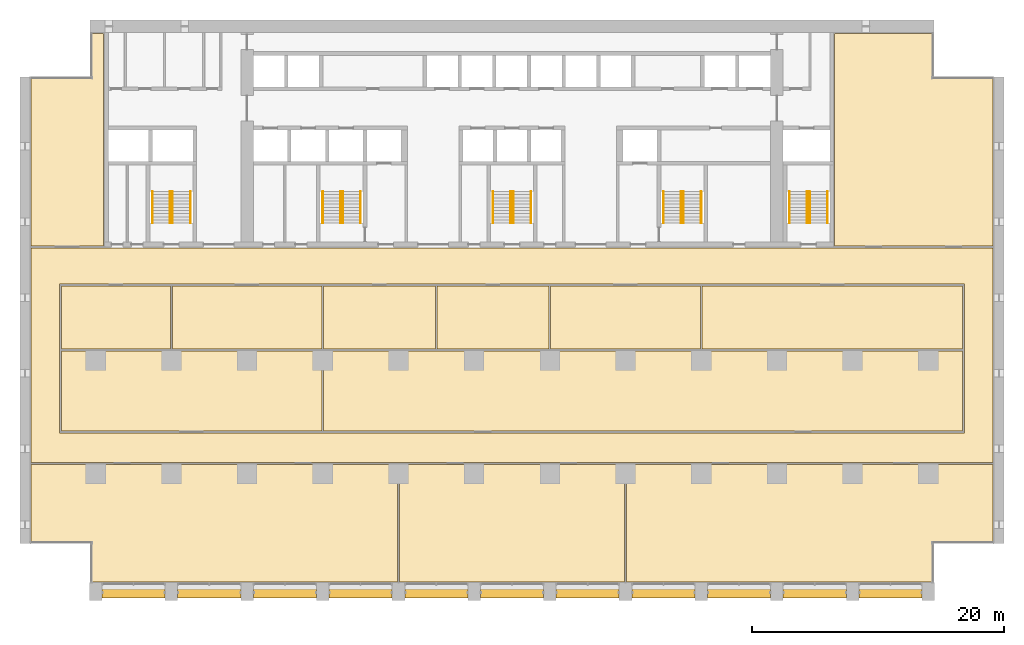
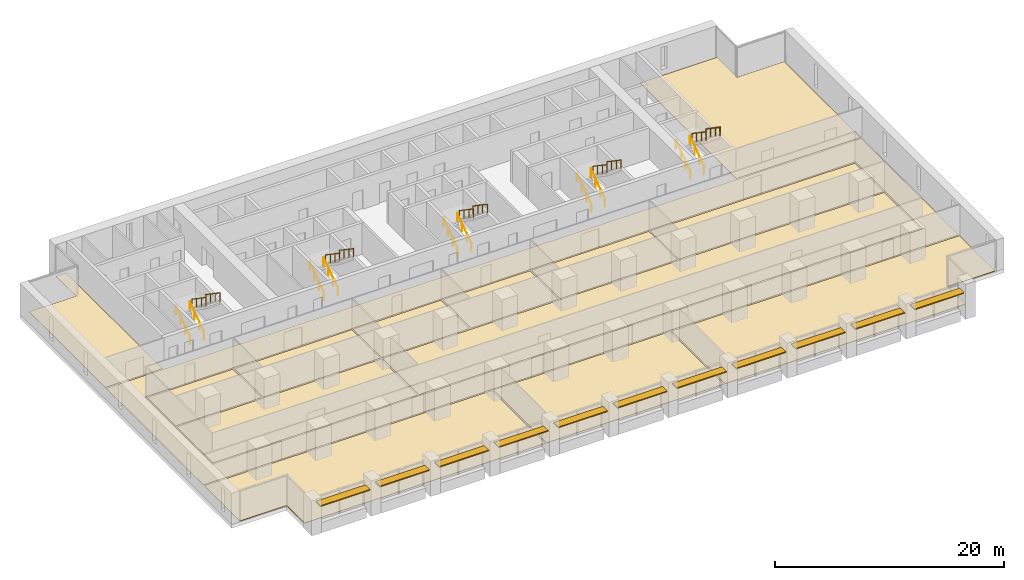
# One storey, part 17 of 17: 20 railings, 14 coverings, 11 shading devices, 5 elements without a shape of their own.
"""IFC4 building model written with IfcOpenShell, lengths in metres."""

from ifc_helpers import new_model, si_unit, direction, frame, origin, origin_2d, place, context, subcontext, project, spatial, polyline, rectangle, circle, outline, extrude, material, layer, layer_set, material_profile, profile_set, type_object, element, aggregate, save


model = new_model("IFC4")

# Units and contexts
model_context = context("Model", 3, precision=1e-05, world=origin(), true_north=direction((0.0, 1.0)))
body_context = subcontext(model_context, "Body", "Model", "MODEL_VIEW")
ifc_project = project(units=[si_unit("LENGTHUNIT", "METRE"), si_unit("AREAUNIT", "SQUARE_METRE"), si_unit("VOLUMEUNIT", "CUBIC_METRE"), si_unit("PLANEANGLEUNIT", "RADIAN"), si_unit("MASSUNIT", "GRAM", prefix="KILO")], contexts=[model_context])

# Site, building, storey
site_placement = place(None, origin())
site = spatial("IfcSite", under=ifc_project, at=site_placement, CompositionType="ELEMENT")
building_placement = place(site_placement, origin())
building = spatial("IfcBuilding", under=site, at=building_placement, Name="Calvaro Tower", CompositionType="ELEMENT")
storey_placement = place(building_placement, frame((0.0, 0.0, 67.5)))
storey = spatial("IfcBuildingStorey", under=building, at=storey_placement, Name="L16", CompositionType="ELEMENT", Elevation=67.5)

# Shading devices
ifc_material_1 = material(Name="Anodised aluminium", Category="aluminium")
ifc_material_profile = material_profile(ifc_material_1, rectangle(XDim=0.800048828125, YDim=0.10009765625, at=origin_2d()), Name="Brise-soleil blade 800 x 100")
ifc_profile_set = profile_set([ifc_material_profile], Name="Anodised aluminium")
shading_device_type = type_object("IfcShadingDeviceType", Name="Brise-soleil blade 800 x 100", PredefinedType="JALOUSIE", material=ifc_profile_set)
for number, where, z_axis, x_axis, name in (
    (1, (6.5, 0.60009765625, 2.300048828125), (1.0, 0.0, 0.0), (0.0, 1.0, 0.0), "Brise-soleil blade 1"),
    (2, (12.5, 0.60009765625, 2.300048828125), (1.0, 0.0, 0.0), (0.0, 1.0, 0.0), "Brise-soleil blade 2"),
    (3, (18.5, 0.60009765625, 2.300048828125), (1.0, 0.0, 0.0), (0.0, 1.0, 0.0), "Brise-soleil blade 3"),
    (4, (24.5, 0.60009765625, 2.300048828125), (1.0, 0.0, 0.0), (0.0, 1.0, 0.0), "Brise-soleil blade 4"),
    (5, (30.5, 0.60009765625, 2.300048828125), (1.0, 0.0, 0.0), (0.0, 1.0, 0.0), "Brise-soleil blade 5"),
    (6, (36.5, 0.60009765625, 2.300048828125), (1.0, 0.0, 0.0), (0.0, 1.0, 0.0), "Brise-soleil blade 6"),
    (7, (42.5, 0.60009765625, 2.300048828125), (1.0, 0.0, 0.0), (0.0, 1.0, 0.0), "Brise-soleil blade 7"),
    (8, (48.5, 0.60009765625, 2.300048828125), (1.0, 0.0, 0.0), (0.0, 1.0, 0.0), "Brise-soleil blade 8"),
    (9, (54.5, 0.60009765625, 2.300048828125), (1.0, 0.0, 0.0), (0.0, 1.0, 0.0), "Brise-soleil blade 9"),
    (10, (60.5, 0.60009765625, 2.300048828125), (1.0, 0.0, 0.0), (0.0, 1.0, 0.0), "Brise-soleil blade 10"),
    (11, (66.5, 0.60009765625, 2.300048828125), (1.0, 0.0, 0.0), (0.0, 1.0, 0.0), "Brise-soleil blade 11"),
):
    element("IfcShadingDevice", number, at=place(storey_placement, frame(where, z_axis=z_axis, x_axis=x_axis)), inside=storey, type_object=shading_device_type, Name=name, PredefinedType="JALOUSIE", context=body_context, shape_type="SweptSolid", body=[
        extrude(rectangle(XDim=0.800048828125, YDim=0.10009765625, at=origin_2d()), origin(), (0.0, 0.0, 1.0), 5.0),
    ])

# Coverings
ifc_material_2 = material(Name="Cement screed with carpet tile finish")
ifc_layer = layer(ifc_material_2, 0.050048828125)
ifc_layer_set = layer_set([ifc_layer], Name="Cement screed with carpet tile finish")
covering_type = type_object("IfcCoveringType", Name="Floor finish 50", PredefinedType="FLOORING", material=ifc_layer_set)
covering_1_placement = place(storey_placement, origin())
element("IfcCovering", 12, at=covering_1_placement, inside=storey, type_object=covering_type, Name="Floor finish 13.01", PredefinedType="FLOORING", context=body_context, shape_type="SweptSolid", body=[
    extrude(outline(polyline([(0.8701171875, 10.919921875), (0.8701171875, 27.929931640625), (77.1298828125, 27.929931640625), (77.1298828125, 10.919921875), (0.8701171875, 10.919921875)]), holes=[polyline([(74.8701171875, 13.280029296875), (74.8701171875, 25.070068359375), (3.1298828125, 25.070068359375), (3.1298828125, 13.280029296875), (74.8701171875, 13.280029296875)])]), origin(), (0.0, 0.0, 1.0), 0.050048828125),
])
covering_2_placement = place(storey_placement, origin())
element("IfcCovering", 13, at=covering_2_placement, inside=storey, type_object=covering_type, Name="Floor finish 13.03", PredefinedType="FLOORING", context=body_context, shape_type="SweptSolid", body=[
    extrude(outline(polyline([(29.929931640625, 10.780029296875), (29.929931640625, 1.469970703125), (5.6201171875, 1.469970703125), (5.6201171875, 4.570068359375), (0.8701171875, 4.570068359375), (0.8701171875, 10.780029296875), (29.929931640625, 10.780029296875)])), origin(), (0.0, 0.0, 1.0), 0.050048828125),
])
covering_3_placement = place(storey_placement, origin())
element("IfcCovering", 14, at=covering_3_placement, inside=storey, type_object=covering_type, Name="Floor finish 13.02", PredefinedType="FLOORING", context=body_context, shape_type="SweptSolid", body=[
    extrude(outline(polyline([(30.070068359375, 10.780029296875), (47.929931640625, 10.780029296875), (47.929931640625, 1.469970703125), (30.070068359375, 1.469970703125), (30.070068359375, 10.780029296875)])), origin(), (0.0, 0.0, 1.0), 0.050048828125),
])
covering_4_placement = place(storey_placement, origin())
element("IfcCovering", 15, at=covering_4_placement, inside=storey, type_object=covering_type, Name="Floor finish 13.04", PredefinedType="FLOORING", context=body_context, shape_type="SweptSolid", body=[
    extrude(outline(polyline([(77.1298828125, 4.570068359375), (72.3798828125, 4.570068359375), (72.3798828125, 1.469970703125), (48.070068359375, 1.469970703125), (48.070068359375, 10.780029296875), (77.1298828125, 10.780029296875), (77.1298828125, 4.570068359375)])), origin(), (0.0, 0.0, 1.0), 0.050048828125),
])
covering_5_placement = place(storey_placement, origin())
element("IfcCovering", 16, at=covering_5_placement, inside=storey, type_object=covering_type, Name="Floor finish 13.05", PredefinedType="FLOORING", context=body_context, shape_type="SweptSolid", body=[
    extrude(outline(polyline([(3.27001953125, 13.419921875), (3.27001953125, 19.780029296875), (23.929931640625, 19.780029296875), (23.929931640625, 13.419921875), (3.27001953125, 13.419921875)])), origin(), (0.0, 0.0, 1.0), 0.050048828125),
])
covering_6_placement = place(storey_placement, origin())
element("IfcCovering", 17, at=covering_6_placement, inside=storey, type_object=covering_type, Name="Floor finish 13.06", PredefinedType="FLOORING", context=body_context, shape_type="SweptSolid", body=[
    extrude(outline(polyline([(24.070068359375, 13.419921875), (24.070068359375, 19.780029296875), (74.72998046875, 19.780029296875), (74.72998046875, 13.419921875), (24.070068359375, 13.419921875)])), origin(), (0.0, 0.0, 1.0), 0.050048828125),
])
covering_7_placement = place(storey_placement, origin())
element("IfcCovering", 18, at=covering_7_placement, inside=storey, type_object=covering_type, Name="Floor finish 13.07", PredefinedType="FLOORING", context=body_context, shape_type="SweptSolid", body=[
    extrude(outline(polyline([(3.27001953125, 19.919921875), (3.27001953125, 24.929931640625), (11.929931640625, 24.929931640625), (11.929931640625, 19.919921875), (3.27001953125, 19.919921875)])), origin(), (0.0, 0.0, 1.0), 0.050048828125),
])
covering_8_placement = place(storey_placement, origin())
element("IfcCovering", 19, at=covering_8_placement, inside=storey, type_object=covering_type, Name="Floor finish 13.08", PredefinedType="FLOORING", context=body_context, shape_type="SweptSolid", body=[
    extrude(outline(polyline([(12.070068359375, 19.919921875), (12.070068359375, 24.929931640625), (23.929931640625, 24.929931640625), (23.929931640625, 19.919921875), (12.070068359375, 19.919921875)])), origin(), (0.0, 0.0, 1.0), 0.050048828125),
])
covering_9_placement = place(storey_placement, origin())
element("IfcCovering", 20, at=covering_9_placement, inside=storey, type_object=covering_type, Name="Floor finish 13.09", PredefinedType="FLOORING", context=body_context, shape_type="SweptSolid", body=[
    extrude(outline(polyline([(24.070068359375, 19.919921875), (24.070068359375, 24.929931640625), (32.929931640625, 24.929931640625), (32.929931640625, 19.919921875), (24.070068359375, 19.919921875)])), origin(), (0.0, 0.0, 1.0), 0.050048828125),
])
covering_10_placement = place(storey_placement, origin())
element("IfcCovering", 21, at=covering_10_placement, inside=storey, type_object=covering_type, Name="Floor finish 13.10", PredefinedType="FLOORING", context=body_context, shape_type="SweptSolid", body=[
    extrude(outline(polyline([(33.070068359375, 19.919921875), (33.070068359375, 24.929931640625), (41.929931640625, 24.929931640625), (41.929931640625, 19.919921875), (33.070068359375, 19.919921875)])), origin(), (0.0, 0.0, 1.0), 0.050048828125),
])
covering_11_placement = place(storey_placement, origin())
element("IfcCovering", 22, at=covering_11_placement, inside=storey, type_object=covering_type, Name="Floor finish 13.11", PredefinedType="FLOORING", context=body_context, shape_type="SweptSolid", body=[
    extrude(outline(polyline([(42.070068359375, 19.919921875), (42.070068359375, 24.929931640625), (53.929931640625, 24.929931640625), (53.929931640625, 19.919921875), (42.070068359375, 19.919921875)])), origin(), (0.0, 0.0, 1.0), 0.050048828125),
])
covering_12_placement = place(storey_placement, origin())
element("IfcCovering", 23, at=covering_12_placement, inside=storey, type_object=covering_type, Name="Floor finish 13.12", PredefinedType="FLOORING", context=body_context, shape_type="SweptSolid", body=[
    extrude(outline(polyline([(54.070068359375, 19.919921875), (54.070068359375, 24.929931640625), (74.72998046875, 24.929931640625), (74.72998046875, 19.919921875), (54.070068359375, 19.919921875)])), origin(), (0.0, 0.0, 1.0), 0.050048828125),
])
covering_13_placement = place(storey_placement, origin())
element("IfcCovering", 24, at=covering_13_placement, inside=storey, type_object=covering_type, Name="Floor finish 13.13", PredefinedType="FLOORING", context=body_context, shape_type="SweptSolid", body=[
    extrude(outline(polyline([(6.6298828125, 28.070068359375), (0.8701171875, 28.070068359375), (0.8701171875, 41.429931640625), (5.6201171875, 41.429931640625), (5.6201171875, 44.929931640625), (6.6298828125, 44.929931640625), (6.6298828125, 28.070068359375)])), origin(), (0.0, 0.0, 1.0), 0.050048828125),
])
covering_14_placement = place(storey_placement, origin())
element("IfcCovering", 25, at=covering_14_placement, inside=storey, type_object=covering_type, Name="Floor finish 13.14", PredefinedType="FLOORING", context=body_context, shape_type="SweptSolid", body=[
    extrude(outline(polyline([(77.1298828125, 28.070068359375), (64.570068359375, 28.070068359375), (64.570068359375, 44.929931640625), (72.3798828125, 44.929931640625), (72.3798828125, 41.429931640625), (77.1298828125, 41.429931640625), (77.1298828125, 28.070068359375)])), origin(), (0.0, 0.0, 1.0), 0.050048828125),
])

# Stair, railings
ifc_material_3 = material(Name="Concrete C40/50", Category="concrete")
stair_type = type_object("IfcStairType", Name="Exit stair 1400 2 flights", PredefinedType="HALF_TURN_STAIR", material=ifc_material_3)
stair_1_placement = place(storey_placement, origin())
stair_1 = element("IfcStair", 26, at=stair_1_placement, inside=storey, type_object=stair_type, Name="Exit stair S1", PredefinedType="HALF_TURN_STAIR")
ifc_material_4 = material(Name="Stainless steel", Category="steel")
railing_type = type_object("IfcRailingType", Name="Stair handrail", PredefinedType="HANDRAIL", material=ifc_material_4)
railing_1_placement = place(storey_placement, frame((11.89990234375, 29.89990234375, 0.17041015625)))
railing_1 = element("IfcRailing", 27, at=railing_1_placement, type_object=railing_type, Name="Exit stair 1 handrail", PredefinedType="HANDRAIL", context=body_context, shape_type="SweptSolid", body=[
    extrude(circle(Radius=0.02392578125, at=origin_2d()), frame((0.0, 0.0, 0.8759765625), z_axis=(0.0, 0.826220514629, 0.563346839174), x_axis=(-1.0, 0.0, 0.0)), (0.0, 0.0, 1.0), 3.02587890625),
    extrude(circle(Radius=0.02099609375, at=origin_2d()), frame((0.0, 0.017333984375, 0.01171875)), (0.0, 0.0, 1.0), 0.851806640625),
    extrude(circle(Radius=0.02099609375, at=origin_2d()), frame((0.0, 0.833251953125, 0.568115234375)), (0.0, 0.0, 1.0), 0.851806640625),
    extrude(circle(Radius=0.02099609375, at=origin_2d()), frame((0.0, 1.666748046875, 1.136474609375)), (0.0, 0.0, 1.0), 0.851806640625),
    extrude(circle(Radius=0.02099609375, at=origin_2d()), frame((0.0, 2.482666015625, 1.69287109375)), (0.0, 0.0, 1.0), 0.851806640625),
])
railing_2_placement = place(storey_placement, frame((10.5, 29.89990234375, 0.17041015625)))
railing_2 = element("IfcRailing", 28, at=railing_2_placement, type_object=railing_type, Name="Exit stair 1 handrail", PredefinedType="HANDRAIL", context=body_context, shape_type="SweptSolid", body=[
    extrude(circle(Radius=0.02392578125, at=origin_2d()), frame((0.0, 0.0, 0.8759765625), z_axis=(0.0, 0.826220514629, 0.563346839174), x_axis=(-1.0, 0.0, 0.0)), (0.0, 0.0, 1.0), 3.02587890625),
    extrude(circle(Radius=0.02099609375, at=origin_2d()), frame((0.0, 0.017333984375, 0.01171875)), (0.0, 0.0, 1.0), 0.851806640625),
    extrude(circle(Radius=0.02099609375, at=origin_2d()), frame((0.0, 0.833251953125, 0.568115234375)), (0.0, 0.0, 1.0), 0.851806640625),
    extrude(circle(Radius=0.02099609375, at=origin_2d()), frame((0.0, 1.666748046875, 1.136474609375)), (0.0, 0.0, 1.0), 0.851806640625),
    extrude(circle(Radius=0.02099609375, at=origin_2d()), frame((0.0, 2.482666015625, 1.69287109375)), (0.0, 0.0, 1.0), 0.851806640625),
])
railing_3_placement = place(storey_placement, frame((12.10009765625, 32.39990234375, 2.04541015625)))
railing_3 = element("IfcRailing", 29, at=railing_3_placement, type_object=railing_type, Name="Exit stair 1 handrail", PredefinedType="HANDRAIL", context=body_context, shape_type="SweptSolid", body=[
    extrude(circle(Radius=0.02392578125, at=origin_2d()), frame((0.0, 0.0, 0.8759765625), z_axis=(0.0, -0.826220514629, 0.563346839174), x_axis=(1.0, 0.0, 0.0)), (0.0, 0.0, 1.0), 3.02587890625),
    extrude(circle(Radius=0.02099609375, at=origin_2d()), frame((0.0, -0.017333984375, 0.01171875)), (0.0, 0.0, 1.0), 0.851806640625),
    extrude(circle(Radius=0.02099609375, at=origin_2d()), frame((0.0, -0.833251953125, 0.568115234375)), (0.0, 0.0, 1.0), 0.851806640625),
    extrude(circle(Radius=0.02099609375, at=origin_2d()), frame((0.0, -1.666748046875, 1.136474609375)), (0.0, 0.0, 1.0), 0.851806640625),
    extrude(circle(Radius=0.02099609375, at=origin_2d()), frame((0.0, -2.482666015625, 1.69287109375)), (0.0, 0.0, 1.0), 0.851806640625),
])
railing_4_placement = place(storey_placement, frame((13.5, 32.39990234375, 2.04541015625)))
railing_4 = element("IfcRailing", 30, at=railing_4_placement, type_object=railing_type, Name="Exit stair 1 handrail", PredefinedType="HANDRAIL", context=body_context, shape_type="SweptSolid", body=[
    extrude(circle(Radius=0.02392578125, at=origin_2d()), frame((0.0, 0.0, 0.8759765625), z_axis=(0.0, -0.826220514629, 0.563346839174), x_axis=(1.0, 0.0, 0.0)), (0.0, 0.0, 1.0), 3.02587890625),
    extrude(circle(Radius=0.02099609375, at=origin_2d()), frame((0.0, -0.017333984375, 0.01171875)), (0.0, 0.0, 1.0), 0.851806640625),
    extrude(circle(Radius=0.02099609375, at=origin_2d()), frame((0.0, -0.833251953125, 0.568115234375)), (0.0, 0.0, 1.0), 0.851806640625),
    extrude(circle(Radius=0.02099609375, at=origin_2d()), frame((0.0, -1.666748046875, 1.136474609375)), (0.0, 0.0, 1.0), 0.851806640625),
    extrude(circle(Radius=0.02099609375, at=origin_2d()), frame((0.0, -2.482666015625, 1.69287109375)), (0.0, 0.0, 1.0), 0.851806640625),
])
aggregate(stair_1, [railing_1, railing_2, railing_3, railing_4])

stair_2_placement = place(storey_placement, origin())
stair_2 = element("IfcStair", 31, at=stair_2_placement, inside=storey, type_object=stair_type, Name="Exit stair S2", PredefinedType="HALF_TURN_STAIR")
railing_5_placement = place(storey_placement, frame((25.39990234375, 29.89990234375, 0.17041015625)))
railing_5 = element("IfcRailing", 32, at=railing_5_placement, type_object=railing_type, Name="Exit stair 2 handrail", PredefinedType="HANDRAIL", context=body_context, shape_type="SweptSolid", body=[
    extrude(circle(Radius=0.02392578125, at=origin_2d()), frame((0.0, 0.0, 0.8759765625), z_axis=(0.0, 0.826220514629, 0.563346839174), x_axis=(-1.0, 0.0, 0.0)), (0.0, 0.0, 1.0), 3.02587890625),
    extrude(circle(Radius=0.02099609375, at=origin_2d()), frame((0.0, 0.017333984375, 0.01171875)), (0.0, 0.0, 1.0), 0.851806640625),
    extrude(circle(Radius=0.02099609375, at=origin_2d()), frame((0.0, 0.833251953125, 0.568115234375)), (0.0, 0.0, 1.0), 0.851806640625),
    extrude(circle(Radius=0.02099609375, at=origin_2d()), frame((0.0, 1.666748046875, 1.136474609375)), (0.0, 0.0, 1.0), 0.851806640625),
    extrude(circle(Radius=0.02099609375, at=origin_2d()), frame((0.0, 2.482666015625, 1.69287109375)), (0.0, 0.0, 1.0), 0.851806640625),
])
railing_6_placement = place(storey_placement, frame((24.0, 29.89990234375, 0.17041015625)))
railing_6 = element("IfcRailing", 33, at=railing_6_placement, type_object=railing_type, Name="Exit stair 2 handrail", PredefinedType="HANDRAIL", context=body_context, shape_type="SweptSolid", body=[
    extrude(circle(Radius=0.02392578125, at=origin_2d()), frame((0.0, 0.0, 0.8759765625), z_axis=(0.0, 0.826220514629, 0.563346839174), x_axis=(-1.0, 0.0, 0.0)), (0.0, 0.0, 1.0), 3.02587890625),
    extrude(circle(Radius=0.02099609375, at=origin_2d()), frame((0.0, 0.017333984375, 0.01171875)), (0.0, 0.0, 1.0), 0.851806640625),
    extrude(circle(Radius=0.02099609375, at=origin_2d()), frame((0.0, 0.833251953125, 0.568115234375)), (0.0, 0.0, 1.0), 0.851806640625),
    extrude(circle(Radius=0.02099609375, at=origin_2d()), frame((0.0, 1.666748046875, 1.136474609375)), (0.0, 0.0, 1.0), 0.851806640625),
    extrude(circle(Radius=0.02099609375, at=origin_2d()), frame((0.0, 2.482666015625, 1.69287109375)), (0.0, 0.0, 1.0), 0.851806640625),
])
railing_7_placement = place(storey_placement, frame((25.60009765625, 32.39990234375, 2.04541015625)))
railing_7 = element("IfcRailing", 34, at=railing_7_placement, type_object=railing_type, Name="Exit stair 2 handrail", PredefinedType="HANDRAIL", context=body_context, shape_type="SweptSolid", body=[
    extrude(circle(Radius=0.02392578125, at=origin_2d()), frame((0.0, 0.0, 0.8759765625), z_axis=(0.0, -0.826220514629, 0.563346839174), x_axis=(1.0, 0.0, 0.0)), (0.0, 0.0, 1.0), 3.02587890625),
    extrude(circle(Radius=0.02099609375, at=origin_2d()), frame((0.0, -0.017333984375, 0.01171875)), (0.0, 0.0, 1.0), 0.851806640625),
    extrude(circle(Radius=0.02099609375, at=origin_2d()), frame((0.0, -0.833251953125, 0.568115234375)), (0.0, 0.0, 1.0), 0.851806640625),
    extrude(circle(Radius=0.02099609375, at=origin_2d()), frame((0.0, -1.666748046875, 1.136474609375)), (0.0, 0.0, 1.0), 0.851806640625),
    extrude(circle(Radius=0.02099609375, at=origin_2d()), frame((0.0, -2.482666015625, 1.69287109375)), (0.0, 0.0, 1.0), 0.851806640625),
])
railing_8_placement = place(storey_placement, frame((27.0, 32.39990234375, 2.04541015625)))
railing_8 = element("IfcRailing", 35, at=railing_8_placement, type_object=railing_type, Name="Exit stair 2 handrail", PredefinedType="HANDRAIL", context=body_context, shape_type="SweptSolid", body=[
    extrude(circle(Radius=0.02392578125, at=origin_2d()), frame((0.0, 0.0, 0.8759765625), z_axis=(0.0, -0.826220514629, 0.563346839174), x_axis=(1.0, 0.0, 0.0)), (0.0, 0.0, 1.0), 3.02587890625),
    extrude(circle(Radius=0.02099609375, at=origin_2d()), frame((0.0, -0.017333984375, 0.01171875)), (0.0, 0.0, 1.0), 0.851806640625),
    extrude(circle(Radius=0.02099609375, at=origin_2d()), frame((0.0, -0.833251953125, 0.568115234375)), (0.0, 0.0, 1.0), 0.851806640625),
    extrude(circle(Radius=0.02099609375, at=origin_2d()), frame((0.0, -1.666748046875, 1.136474609375)), (0.0, 0.0, 1.0), 0.851806640625),
    extrude(circle(Radius=0.02099609375, at=origin_2d()), frame((0.0, -2.482666015625, 1.69287109375)), (0.0, 0.0, 1.0), 0.851806640625),
])
aggregate(stair_2, [railing_5, railing_6, railing_7, railing_8])

stair_3_placement = place(storey_placement, origin())
stair_3 = element("IfcStair", 36, at=stair_3_placement, inside=storey, type_object=stair_type, Name="Exit stair S3", PredefinedType="HALF_TURN_STAIR")
railing_9_placement = place(storey_placement, frame((38.89990234375, 29.89990234375, 0.17041015625)))
railing_9 = element("IfcRailing", 37, at=railing_9_placement, type_object=railing_type, Name="Exit stair 3 handrail", PredefinedType="HANDRAIL", context=body_context, shape_type="SweptSolid", body=[
    extrude(circle(Radius=0.02392578125, at=origin_2d()), frame((0.0, 0.0, 0.8759765625), z_axis=(0.0, 0.826220514629, 0.563346839174), x_axis=(-1.0, 0.0, 0.0)), (0.0, 0.0, 1.0), 3.02587890625),
    extrude(circle(Radius=0.02099609375, at=origin_2d()), frame((0.0, 0.017333984375, 0.01171875)), (0.0, 0.0, 1.0), 0.851806640625),
    extrude(circle(Radius=0.02099609375, at=origin_2d()), frame((0.0, 0.833251953125, 0.568115234375)), (0.0, 0.0, 1.0), 0.851806640625),
    extrude(circle(Radius=0.02099609375, at=origin_2d()), frame((0.0, 1.666748046875, 1.136474609375)), (0.0, 0.0, 1.0), 0.851806640625),
    extrude(circle(Radius=0.02099609375, at=origin_2d()), frame((0.0, 2.482666015625, 1.69287109375)), (0.0, 0.0, 1.0), 0.851806640625),
])
railing_10_placement = place(storey_placement, frame((37.5, 29.89990234375, 0.17041015625)))
railing_10 = element("IfcRailing", 38, at=railing_10_placement, type_object=railing_type, Name="Exit stair 3 handrail", PredefinedType="HANDRAIL", context=body_context, shape_type="SweptSolid", body=[
    extrude(circle(Radius=0.02392578125, at=origin_2d()), frame((0.0, 0.0, 0.8759765625), z_axis=(0.0, 0.826220514629, 0.563346839174), x_axis=(-1.0, 0.0, 0.0)), (0.0, 0.0, 1.0), 3.02587890625),
    extrude(circle(Radius=0.02099609375, at=origin_2d()), frame((0.0, 0.017333984375, 0.01171875)), (0.0, 0.0, 1.0), 0.851806640625),
    extrude(circle(Radius=0.02099609375, at=origin_2d()), frame((0.0, 0.833251953125, 0.568115234375)), (0.0, 0.0, 1.0), 0.851806640625),
    extrude(circle(Radius=0.02099609375, at=origin_2d()), frame((0.0, 1.666748046875, 1.136474609375)), (0.0, 0.0, 1.0), 0.851806640625),
    extrude(circle(Radius=0.02099609375, at=origin_2d()), frame((0.0, 2.482666015625, 1.69287109375)), (0.0, 0.0, 1.0), 0.851806640625),
])
railing_11_placement = place(storey_placement, frame((39.10009765625, 32.39990234375, 2.04541015625)))
railing_11 = element("IfcRailing", 39, at=railing_11_placement, type_object=railing_type, Name="Exit stair 3 handrail", PredefinedType="HANDRAIL", context=body_context, shape_type="SweptSolid", body=[
    extrude(circle(Radius=0.02392578125, at=origin_2d()), frame((0.0, 0.0, 0.8759765625), z_axis=(0.0, -0.826220514629, 0.563346839174), x_axis=(1.0, 0.0, 0.0)), (0.0, 0.0, 1.0), 3.02587890625),
    extrude(circle(Radius=0.02099609375, at=origin_2d()), frame((0.0, -0.017333984375, 0.01171875)), (0.0, 0.0, 1.0), 0.851806640625),
    extrude(circle(Radius=0.02099609375, at=origin_2d()), frame((0.0, -0.833251953125, 0.568115234375)), (0.0, 0.0, 1.0), 0.851806640625),
    extrude(circle(Radius=0.02099609375, at=origin_2d()), frame((0.0, -1.666748046875, 1.136474609375)), (0.0, 0.0, 1.0), 0.851806640625),
    extrude(circle(Radius=0.02099609375, at=origin_2d()), frame((0.0, -2.482666015625, 1.69287109375)), (0.0, 0.0, 1.0), 0.851806640625),
])
railing_12_placement = place(storey_placement, frame((40.5, 32.39990234375, 2.04541015625)))
railing_12 = element("IfcRailing", 40, at=railing_12_placement, type_object=railing_type, Name="Exit stair 3 handrail", PredefinedType="HANDRAIL", context=body_context, shape_type="SweptSolid", body=[
    extrude(circle(Radius=0.02392578125, at=origin_2d()), frame((0.0, 0.0, 0.8759765625), z_axis=(0.0, -0.826220514629, 0.563346839174), x_axis=(1.0, 0.0, 0.0)), (0.0, 0.0, 1.0), 3.02587890625),
    extrude(circle(Radius=0.02099609375, at=origin_2d()), frame((0.0, -0.017333984375, 0.01171875)), (0.0, 0.0, 1.0), 0.851806640625),
    extrude(circle(Radius=0.02099609375, at=origin_2d()), frame((0.0, -0.833251953125, 0.568115234375)), (0.0, 0.0, 1.0), 0.851806640625),
    extrude(circle(Radius=0.02099609375, at=origin_2d()), frame((0.0, -1.666748046875, 1.136474609375)), (0.0, 0.0, 1.0), 0.851806640625),
    extrude(circle(Radius=0.02099609375, at=origin_2d()), frame((0.0, -2.482666015625, 1.69287109375)), (0.0, 0.0, 1.0), 0.851806640625),
])
aggregate(stair_3, [railing_9, railing_10, railing_11, railing_12])

stair_4_placement = place(storey_placement, origin())
stair_4 = element("IfcStair", 41, at=stair_4_placement, inside=storey, type_object=stair_type, Name="Exit stair S4", PredefinedType="HALF_TURN_STAIR")
railing_13_placement = place(storey_placement, frame((52.39990234375, 29.89990234375, 0.17041015625)))
railing_13 = element("IfcRailing", 42, at=railing_13_placement, type_object=railing_type, Name="Exit stair 4 handrail", PredefinedType="HANDRAIL", context=body_context, shape_type="SweptSolid", body=[
    extrude(circle(Radius=0.02392578125, at=origin_2d()), frame((0.0, 0.0, 0.8759765625), z_axis=(0.0, 0.826220514629, 0.563346839174), x_axis=(-1.0, 0.0, 0.0)), (0.0, 0.0, 1.0), 3.02587890625),
    extrude(circle(Radius=0.02099609375, at=origin_2d()), frame((0.0, 0.017333984375, 0.01171875)), (0.0, 0.0, 1.0), 0.851806640625),
    extrude(circle(Radius=0.02099609375, at=origin_2d()), frame((0.0, 0.833251953125, 0.568115234375)), (0.0, 0.0, 1.0), 0.851806640625),
    extrude(circle(Radius=0.02099609375, at=origin_2d()), frame((0.0, 1.666748046875, 1.136474609375)), (0.0, 0.0, 1.0), 0.851806640625),
    extrude(circle(Radius=0.02099609375, at=origin_2d()), frame((0.0, 2.482666015625, 1.69287109375)), (0.0, 0.0, 1.0), 0.851806640625),
])
railing_14_placement = place(storey_placement, frame((51.0, 29.89990234375, 0.17041015625)))
railing_14 = element("IfcRailing", 43, at=railing_14_placement, type_object=railing_type, Name="Exit stair 4 handrail", PredefinedType="HANDRAIL", context=body_context, shape_type="SweptSolid", body=[
    extrude(circle(Radius=0.02392578125, at=origin_2d()), frame((0.0, 0.0, 0.8759765625), z_axis=(0.0, 0.826220514629, 0.563346839174), x_axis=(-1.0, 0.0, 0.0)), (0.0, 0.0, 1.0), 3.02587890625),
    extrude(circle(Radius=0.02099609375, at=origin_2d()), frame((0.0, 0.017333984375, 0.01171875)), (0.0, 0.0, 1.0), 0.851806640625),
    extrude(circle(Radius=0.02099609375, at=origin_2d()), frame((0.0, 0.833251953125, 0.568115234375)), (0.0, 0.0, 1.0), 0.851806640625),
    extrude(circle(Radius=0.02099609375, at=origin_2d()), frame((0.0, 1.666748046875, 1.136474609375)), (0.0, 0.0, 1.0), 0.851806640625),
    extrude(circle(Radius=0.02099609375, at=origin_2d()), frame((0.0, 2.482666015625, 1.69287109375)), (0.0, 0.0, 1.0), 0.851806640625),
])
railing_15_placement = place(storey_placement, frame((52.60009765625, 32.39990234375, 2.04541015625)))
railing_15 = element("IfcRailing", 44, at=railing_15_placement, type_object=railing_type, Name="Exit stair 4 handrail", PredefinedType="HANDRAIL", context=body_context, shape_type="SweptSolid", body=[
    extrude(circle(Radius=0.02392578125, at=origin_2d()), frame((0.0, 0.0, 0.8759765625), z_axis=(0.0, -0.826220514629, 0.563346839174), x_axis=(1.0, 0.0, 0.0)), (0.0, 0.0, 1.0), 3.02587890625),
    extrude(circle(Radius=0.02099609375, at=origin_2d()), frame((0.0, -0.017333984375, 0.01171875)), (0.0, 0.0, 1.0), 0.851806640625),
    extrude(circle(Radius=0.02099609375, at=origin_2d()), frame((0.0, -0.833251953125, 0.568115234375)), (0.0, 0.0, 1.0), 0.851806640625),
    extrude(circle(Radius=0.02099609375, at=origin_2d()), frame((0.0, -1.666748046875, 1.136474609375)), (0.0, 0.0, 1.0), 0.851806640625),
    extrude(circle(Radius=0.02099609375, at=origin_2d()), frame((0.0, -2.482666015625, 1.69287109375)), (0.0, 0.0, 1.0), 0.851806640625),
])
railing_16_placement = place(storey_placement, frame((54.0, 32.39990234375, 2.04541015625)))
railing_16 = element("IfcRailing", 45, at=railing_16_placement, type_object=railing_type, Name="Exit stair 4 handrail", PredefinedType="HANDRAIL", context=body_context, shape_type="SweptSolid", body=[
    extrude(circle(Radius=0.02392578125, at=origin_2d()), frame((0.0, 0.0, 0.8759765625), z_axis=(0.0, -0.826220514629, 0.563346839174), x_axis=(1.0, 0.0, 0.0)), (0.0, 0.0, 1.0), 3.02587890625),
    extrude(circle(Radius=0.02099609375, at=origin_2d()), frame((0.0, -0.017333984375, 0.01171875)), (0.0, 0.0, 1.0), 0.851806640625),
    extrude(circle(Radius=0.02099609375, at=origin_2d()), frame((0.0, -0.833251953125, 0.568115234375)), (0.0, 0.0, 1.0), 0.851806640625),
    extrude(circle(Radius=0.02099609375, at=origin_2d()), frame((0.0, -1.666748046875, 1.136474609375)), (0.0, 0.0, 1.0), 0.851806640625),
    extrude(circle(Radius=0.02099609375, at=origin_2d()), frame((0.0, -2.482666015625, 1.69287109375)), (0.0, 0.0, 1.0), 0.851806640625),
])
aggregate(stair_4, [railing_13, railing_14, railing_15, railing_16])

stair_5_placement = place(storey_placement, origin())
stair_5 = element("IfcStair", 46, at=stair_5_placement, inside=storey, type_object=stair_type, Name="Exit stair S5", PredefinedType="HALF_TURN_STAIR")
railing_17_placement = place(storey_placement, frame((62.39990234375, 29.89990234375, 0.17041015625)))
railing_17 = element("IfcRailing", 47, at=railing_17_placement, type_object=railing_type, Name="Exit stair 5 handrail", PredefinedType="HANDRAIL", context=body_context, shape_type="SweptSolid", body=[
    extrude(circle(Radius=0.02392578125, at=origin_2d()), frame((0.0, 0.0, 0.8759765625), z_axis=(0.0, 0.826220514629, 0.563346839174), x_axis=(-1.0, 0.0, 0.0)), (0.0, 0.0, 1.0), 3.02587890625),
    extrude(circle(Radius=0.02099609375, at=origin_2d()), frame((0.0, 0.017333984375, 0.01171875)), (0.0, 0.0, 1.0), 0.851806640625),
    extrude(circle(Radius=0.02099609375, at=origin_2d()), frame((0.0, 0.833251953125, 0.568115234375)), (0.0, 0.0, 1.0), 0.851806640625),
    extrude(circle(Radius=0.02099609375, at=origin_2d()), frame((0.0, 1.666748046875, 1.136474609375)), (0.0, 0.0, 1.0), 0.851806640625),
    extrude(circle(Radius=0.02099609375, at=origin_2d()), frame((0.0, 2.482666015625, 1.69287109375)), (0.0, 0.0, 1.0), 0.851806640625),
])
railing_18_placement = place(storey_placement, frame((61.0, 29.89990234375, 0.17041015625)))
railing_18 = element("IfcRailing", 48, at=railing_18_placement, type_object=railing_type, Name="Exit stair 5 handrail", PredefinedType="HANDRAIL", context=body_context, shape_type="SweptSolid", body=[
    extrude(circle(Radius=0.02392578125, at=origin_2d()), frame((0.0, 0.0, 0.8759765625), z_axis=(0.0, 0.826220514629, 0.563346839174), x_axis=(-1.0, 0.0, 0.0)), (0.0, 0.0, 1.0), 3.02587890625),
    extrude(circle(Radius=0.02099609375, at=origin_2d()), frame((0.0, 0.017333984375, 0.01171875)), (0.0, 0.0, 1.0), 0.851806640625),
    extrude(circle(Radius=0.02099609375, at=origin_2d()), frame((0.0, 0.833251953125, 0.568115234375)), (0.0, 0.0, 1.0), 0.851806640625),
    extrude(circle(Radius=0.02099609375, at=origin_2d()), frame((0.0, 1.666748046875, 1.136474609375)), (0.0, 0.0, 1.0), 0.851806640625),
    extrude(circle(Radius=0.02099609375, at=origin_2d()), frame((0.0, 2.482666015625, 1.69287109375)), (0.0, 0.0, 1.0), 0.851806640625),
])
railing_19_placement = place(storey_placement, frame((62.60009765625, 32.39990234375, 2.04541015625)))
railing_19 = element("IfcRailing", 49, at=railing_19_placement, type_object=railing_type, Name="Exit stair 5 handrail", PredefinedType="HANDRAIL", context=body_context, shape_type="SweptSolid", body=[
    extrude(circle(Radius=0.02392578125, at=origin_2d()), frame((0.0, 0.0, 0.8759765625), z_axis=(0.0, -0.826220514629, 0.563346839174), x_axis=(1.0, 0.0, 0.0)), (0.0, 0.0, 1.0), 3.02587890625),
    extrude(circle(Radius=0.02099609375, at=origin_2d()), frame((0.0, -0.017333984375, 0.01171875)), (0.0, 0.0, 1.0), 0.851806640625),
    extrude(circle(Radius=0.02099609375, at=origin_2d()), frame((0.0, -0.833251953125, 0.568115234375)), (0.0, 0.0, 1.0), 0.851806640625),
    extrude(circle(Radius=0.02099609375, at=origin_2d()), frame((0.0, -1.666748046875, 1.136474609375)), (0.0, 0.0, 1.0), 0.851806640625),
    extrude(circle(Radius=0.02099609375, at=origin_2d()), frame((0.0, -2.482666015625, 1.69287109375)), (0.0, 0.0, 1.0), 0.851806640625),
])
railing_20_placement = place(storey_placement, frame((64.0, 32.39990234375, 2.04541015625)))
railing_20 = element("IfcRailing", 50, at=railing_20_placement, type_object=railing_type, Name="Exit stair 5 handrail", PredefinedType="HANDRAIL", context=body_context, shape_type="SweptSolid", body=[
    extrude(circle(Radius=0.02392578125, at=origin_2d()), frame((0.0, 0.0, 0.8759765625), z_axis=(0.0, -0.826220514629, 0.563346839174), x_axis=(1.0, 0.0, 0.0)), (0.0, 0.0, 1.0), 3.02587890625),
    extrude(circle(Radius=0.02099609375, at=origin_2d()), frame((0.0, -0.017333984375, 0.01171875)), (0.0, 0.0, 1.0), 0.851806640625),
    extrude(circle(Radius=0.02099609375, at=origin_2d()), frame((0.0, -0.833251953125, 0.568115234375)), (0.0, 0.0, 1.0), 0.851806640625),
    extrude(circle(Radius=0.02099609375, at=origin_2d()), frame((0.0, -1.666748046875, 1.136474609375)), (0.0, 0.0, 1.0), 0.851806640625),
    extrude(circle(Radius=0.02099609375, at=origin_2d()), frame((0.0, -2.482666015625, 1.69287109375)), (0.0, 0.0, 1.0), 0.851806640625),
])
aggregate(stair_5, [railing_17, railing_18, railing_19, railing_20])

save(model, "model.ifc")
